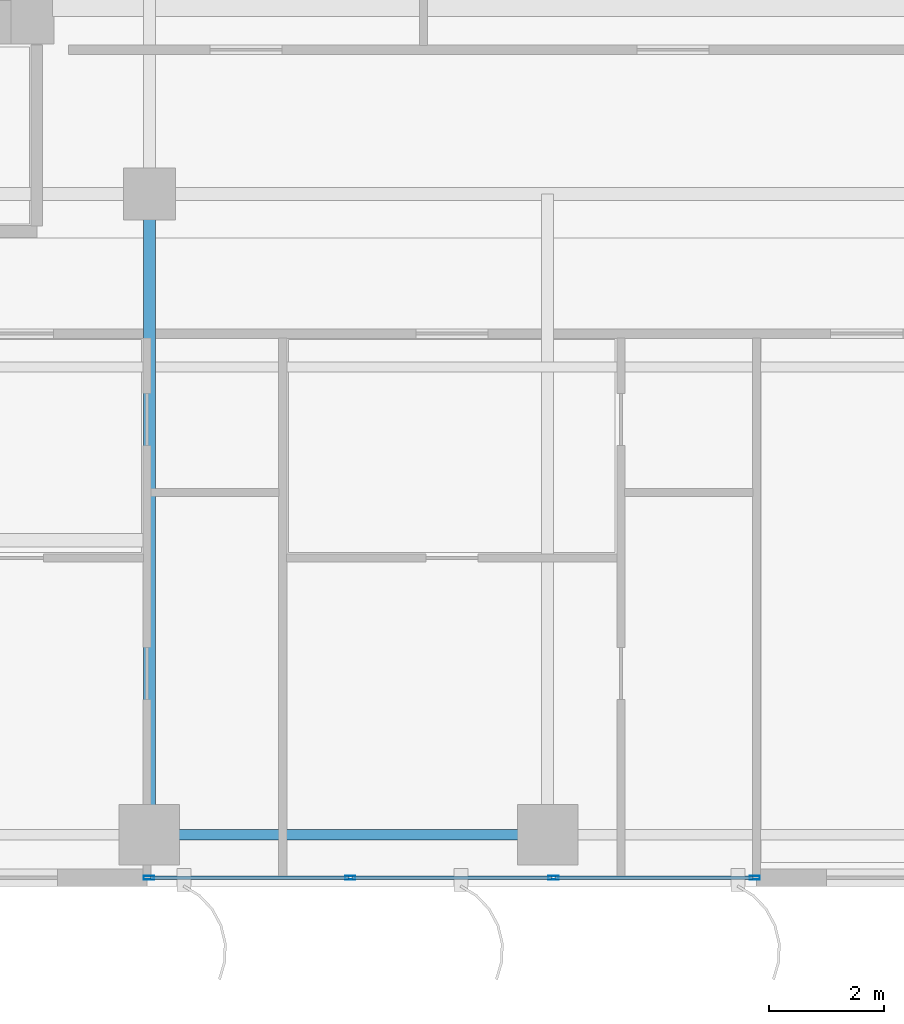
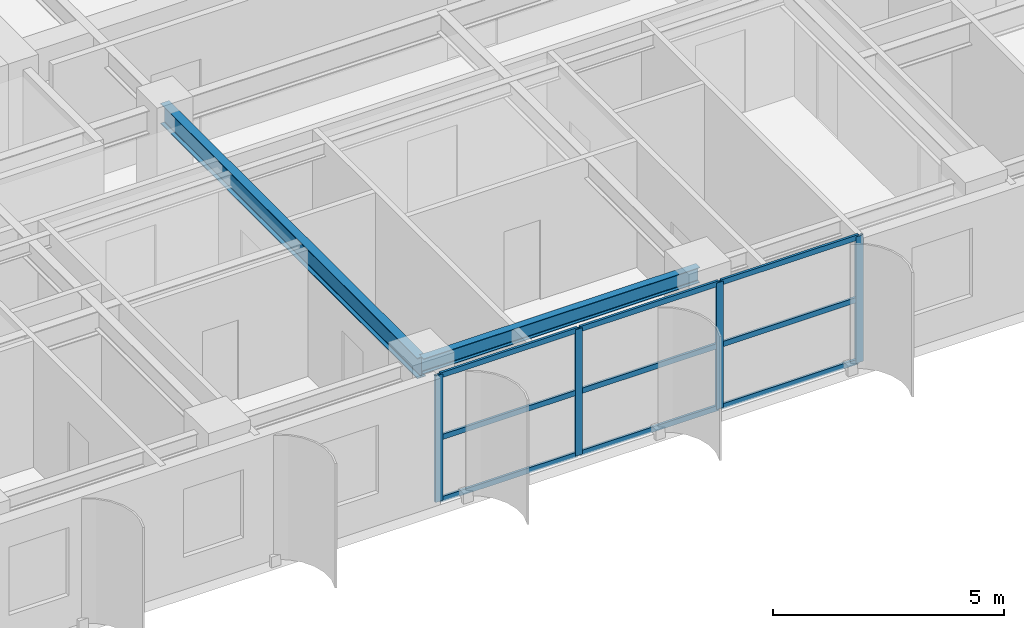
# One storey, part 2 of 22: 13 members, 2 beams, 1 element without a shape of its own.
"""IFC4 building model written with IfcOpenShell, lengths in metres."""

from ifc_helpers import new_model, si_unit, direction, frame, origin, origin_2d, place, context, subcontext, project, spatial, hollow_rectangle, i_section, extrude, source, transform, mapped, material, layer, layer_set, material_profile, profile_set, type_object, element, aggregate, save


model = new_model("IFC4")

# Units and contexts
model_context = context("Model", 3, precision=1e-05, world=origin(), true_north=direction((0.0, 1.0)))
body_context = subcontext(model_context, "Body", "Model", "MODEL_VIEW")
ifc_project = project(units=[si_unit("LENGTHUNIT", "METRE"), si_unit("AREAUNIT", "SQUARE_METRE"), si_unit("VOLUMEUNIT", "CUBIC_METRE"), si_unit("PLANEANGLEUNIT", "RADIAN"), si_unit("MASSUNIT", "GRAM", prefix="KILO")], contexts=[model_context])

# Site, building, storey
site_placement = place(None, origin())
site = spatial("IfcSite", under=ifc_project, at=site_placement, CompositionType="ELEMENT")
building_placement = place(site_placement, origin())
building = spatial("IfcBuilding", under=site, at=building_placement, Name="Khoralis Quay Care Tower", CompositionType="ELEMENT")
storey_placement = place(building_placement, frame((0.0, 0.0, 101.699951171875)))
storey = spatial("IfcBuildingStorey", under=building, at=storey_placement, Name="L26", CompositionType="ELEMENT", Elevation=101.699951171875)

# Beams
ifc_material_1 = material(Name="Steel S355", Category="steel")
ifc_material_profile_1 = material_profile(ifc_material_1, i_section(OverallWidth=0.179931640625, OverallDepth=0.39990234375, WebThickness=0.008544921875, FlangeThickness=0.013427734375, FilletRadius=0.02099609375, at=origin_2d()), Name="Steel S355")
ifc_profile_set_1 = profile_set([ifc_material_profile_1], Name="Steel S355")
beam_type_1 = type_object("IfcBeamType", Name="BM-IPE400", PredefinedType="SPANDREL", material=ifc_profile_set_1)
shared_shape_1 = source(origin(), body_context, "Body", "SweptSolid", [
    extrude(i_section(OverallWidth=0.179931640625, OverallDepth=0.39990234375, WebThickness=0.008544921875, FlangeThickness=0.013427734375, FilletRadius=0.02099609375, at=origin_2d()), origin(), (0.0, 0.0, 1.0), 6.89990234375),
])
beam_1_placement = place(storey_placement, frame((17.10009765625, 0.89990234375, 3.14013671875), z_axis=(1.0, 0.0, 0.0), x_axis=(0.0, 1.0, 0.0)))
element("IfcBeam", 1, at=beam_1_placement, inside=storey, type_object=beam_type_1, Name="BM-TSP-L26-03", PredefinedType="SPANDREL", context=body_context, shape_type="MappedRepresentation", body=[
    mapped(shared_shape_1, transform((0.0, 0.0, 0.0), scale=1.0)),
])
ifc_material_profile_2 = material_profile(ifc_material_1, i_section(OverallWidth=0.2119140625, OverallDepth=0.5439453125, WebThickness=0.01318359375, FlangeThickness=0.021240234375, FilletRadius=0.01611328125, at=origin_2d()), Name="Steel S355")
ifc_profile_set_2 = profile_set([ifc_material_profile_2], Name="Steel S355")
beam_type_2 = type_object("IfcBeamType", Name="BM-W530X123", PredefinedType="BEAM", material=ifc_profile_set_2)
shared_shape_2 = source(origin(), body_context, "Body", "SweptSolid", [
    extrude(i_section(OverallWidth=0.2119140625, OverallDepth=0.5439453125, WebThickness=0.01318359375, FlangeThickness=0.021240234375, FilletRadius=0.01611328125, at=origin_2d()), origin(), (0.0, 0.0, 1.0), 11.10009765625),
])
beam_2_placement = place(storey_placement, frame((17.10009765625, 0.89990234375, 3.068115234375), z_axis=(0.0, 1.0, 0.0), x_axis=(-1.0, 0.0, 0.0)))
element("IfcBeam", 2, at=beam_2_placement, inside=storey, type_object=beam_type_2, Name="BM-TGYS-L26-171", PredefinedType="BEAM", context=body_context, shape_type="MappedRepresentation", body=[
    mapped(shared_shape_2, transform((0.0, 0.0, 0.0), scale=1.0)),
])

# Curtain wall, members
ifc_material_2 = material(Name="Pale anodised aluminium", Category="aluminium")
ifc_layer = layer(ifc_material_2, 0.169921875)
ifc_layer_set = layer_set([ifc_layer], Name="Pale anodised aluminium")
curtain_wall_type = type_object("IfcCurtainWallType", Name="CW-SYS-Z2", PredefinedType="NOTDEFINED", material=ifc_layer_set)
curtain_wall_placement = place(storey_placement, origin())
curtain_wall = element("IfcCurtainWall", 3, at=curtain_wall_placement, inside=storey, type_object=curtain_wall_type, Name="L26 Unitised Curtain Wall CW-L26-P1-E0", PredefinedType="NOTDEFINED")
ifc_material_profile_3 = material_profile(ifc_material_2, hollow_rectangle(XDim=0.06494140625, YDim=0.179931640625, WallThickness=0.00390625, at=origin_2d()), Name="Pale anodised aluminium")
ifc_profile_set_3 = profile_set([ifc_material_profile_3], Name="Pale anodised aluminium")
member_type_1 = type_object("IfcMemberType", Name="CW-MUL-180", PredefinedType="MULLION", material=ifc_profile_set_3)
shared_shape_3 = source(origin(), body_context, "Body", "SweptSolid", [
    extrude(hollow_rectangle(XDim=0.06494140625, YDim=0.179931640625, WallThickness=0.00390625, at=origin_2d()), origin(), (0.0, 0.0, 1.0), 3.340087890625),
])
member_1_placement = place(storey_placement, frame((17.090087890625, 0.14990234375, 0.0), z_axis=(0.0, 0.0, 1.0), x_axis=(0.0, 1.0, 0.0)))
member_1 = element("IfcMember", 4, at=member_1_placement, type_object=member_type_1, Name="CW2 mullion 1", PredefinedType="MULLION", context=body_context, shape_type="MappedRepresentation", body=[
    mapped(shared_shape_3, transform((0.0, 0.0, 0.0), scale=1.0)),
])
member_2_placement = place(storey_placement, frame((20.580078125, 0.14990234375, 0.0), z_axis=(0.0, 0.0, 1.0), x_axis=(0.0, 1.0, 0.0)))
member_2 = element("IfcMember", 5, at=member_2_placement, type_object=member_type_1, Name="CW2 mullion 2", PredefinedType="MULLION", context=body_context, shape_type="MappedRepresentation", body=[
    mapped(shared_shape_3, transform((0.0, 0.0, 0.0), scale=1.0)),
])
member_3_placement = place(storey_placement, frame((24.10009765625, 0.14990234375, 0.0), z_axis=(0.0, 0.0, 1.0), x_axis=(0.0, 1.0, 0.0)))
member_3 = element("IfcMember", 6, at=member_3_placement, type_object=member_type_1, Name="CW2 mullion 3", PredefinedType="MULLION", context=body_context, shape_type="MappedRepresentation", body=[
    mapped(shared_shape_3, transform((0.0, 0.0, 0.0), scale=1.0)),
])
member_4_placement = place(storey_placement, frame((27.590087890625, 0.14990234375, 0.0), z_axis=(0.0, 0.0, 1.0), x_axis=(0.0, 1.0, 0.0)))
member_4 = element("IfcMember", 7, at=member_4_placement, type_object=member_type_1, Name="CW2 mullion 4", PredefinedType="MULLION", context=body_context, shape_type="MappedRepresentation", body=[
    mapped(shared_shape_3, transform((0.0, 0.0, 0.0), scale=1.0)),
])
ifc_material_profile_4 = material_profile(ifc_material_2, hollow_rectangle(XDim=0.06005859375, YDim=0.139892578125, WallThickness=0.00390625, at=origin_2d()), Name="Pale anodised aluminium")
ifc_profile_set_4 = profile_set([ifc_material_profile_4], Name="Pale anodised aluminium")
member_type_2 = type_object("IfcMemberType", Name="CW-TRN-140", PredefinedType="USERDEFINED", material=ifc_profile_set_4)
shared_shape_4 = source(origin(), body_context, "Body", "SweptSolid", [
    extrude(hollow_rectangle(XDim=0.06005859375, YDim=0.139892578125, WallThickness=0.00390625, at=origin_2d()), origin(), (0.0, 0.0, 1.0), 3.429931640625),
])
member_5_placement = place(storey_placement, frame((17.1201171875, 0.14990234375, 0.030029296875), z_axis=(1.0, 0.0, 0.0), x_axis=(0.0, 1.0, 0.0)))
member_5 = element("IfcMember", 8, at=member_5_placement, type_object=member_type_2, Name="CW2 transom 1.1", ObjectType="TRANSOM", PredefinedType="USERDEFINED", context=body_context, shape_type="MappedRepresentation", body=[
    mapped(shared_shape_4, transform((0.0, 0.0, 0.0), scale=1.0)),
])
member_6_placement = place(storey_placement, frame((17.1201171875, 0.14990234375, 1.670166015625), z_axis=(1.0, 0.0, 0.0), x_axis=(0.0, 1.0, 0.0)))
member_6 = element("IfcMember", 9, at=member_6_placement, type_object=member_type_2, Name="CW2 transom 1.2", ObjectType="TRANSOM", PredefinedType="USERDEFINED", context=body_context, shape_type="MappedRepresentation", body=[
    mapped(shared_shape_4, transform((0.0, 0.0, 0.0), scale=1.0)),
])
member_7_placement = place(storey_placement, frame((17.1201171875, 0.14990234375, 3.31005859375), z_axis=(1.0, 0.0, 0.0), x_axis=(0.0, 1.0, 0.0)))
member_7 = element("IfcMember", 10, at=member_7_placement, type_object=member_type_2, Name="CW2 transom 1.3", ObjectType="TRANSOM", PredefinedType="USERDEFINED", context=body_context, shape_type="MappedRepresentation", body=[
    mapped(shared_shape_4, transform((0.0, 0.0, 0.0), scale=1.0)),
])
shared_shape_5 = source(origin(), body_context, "Body", "SweptSolid", [
    extrude(hollow_rectangle(XDim=0.06005859375, YDim=0.139892578125, WallThickness=0.00390625, at=origin_2d()), origin(), (0.0, 0.0, 1.0), 3.4599609375),
])
member_8_placement = place(storey_placement, frame((20.610107421875, 0.14990234375, 0.030029296875), z_axis=(1.0, 0.0, 0.0), x_axis=(0.0, 1.0, 0.0)))
member_8 = element("IfcMember", 11, at=member_8_placement, type_object=member_type_2, Name="CW2 transom 2.1", ObjectType="TRANSOM", PredefinedType="USERDEFINED", context=body_context, shape_type="MappedRepresentation", body=[
    mapped(shared_shape_5, transform((0.0, 0.0, 0.0), scale=1.0)),
])
member_9_placement = place(storey_placement, frame((20.610107421875, 0.14990234375, 1.670166015625), z_axis=(1.0, 0.0, 0.0), x_axis=(0.0, 1.0, 0.0)))
member_9 = element("IfcMember", 12, at=member_9_placement, type_object=member_type_2, Name="CW2 transom 2.2", ObjectType="TRANSOM", PredefinedType="USERDEFINED", context=body_context, shape_type="MappedRepresentation", body=[
    mapped(shared_shape_5, transform((0.0, 0.0, 0.0), scale=1.0)),
])
member_10_placement = place(storey_placement, frame((20.610107421875, 0.14990234375, 3.31005859375), z_axis=(1.0, 0.0, 0.0), x_axis=(0.0, 1.0, 0.0)))
member_10 = element("IfcMember", 13, at=member_10_placement, type_object=member_type_2, Name="CW2 transom 2.3", ObjectType="TRANSOM", PredefinedType="USERDEFINED", context=body_context, shape_type="MappedRepresentation", body=[
    mapped(shared_shape_5, transform((0.0, 0.0, 0.0), scale=1.0)),
])
shared_shape_6 = source(origin(), body_context, "Body", "SweptSolid", [
    extrude(hollow_rectangle(XDim=0.06005859375, YDim=0.139892578125, WallThickness=0.00390625, at=origin_2d()), origin(), (0.0, 0.0, 1.0), 3.43017578125),
])
member_11_placement = place(storey_placement, frame((24.1298828125, 0.14990234375, 0.030029296875), z_axis=(1.0, 0.0, 0.0), x_axis=(0.0, 1.0, 0.0)))
member_11 = element("IfcMember", 14, at=member_11_placement, type_object=member_type_2, Name="CW2 transom 3.1", ObjectType="TRANSOM", PredefinedType="USERDEFINED", context=body_context, shape_type="MappedRepresentation", body=[
    mapped(shared_shape_6, transform((0.0, 0.0, 0.0), scale=1.0)),
])
member_12_placement = place(storey_placement, frame((24.1298828125, 0.14990234375, 1.670166015625), z_axis=(1.0, 0.0, 0.0), x_axis=(0.0, 1.0, 0.0)))
member_12 = element("IfcMember", 15, at=member_12_placement, type_object=member_type_2, Name="CW2 transom 3.2", ObjectType="TRANSOM", PredefinedType="USERDEFINED", context=body_context, shape_type="MappedRepresentation", body=[
    mapped(shared_shape_6, transform((0.0, 0.0, 0.0), scale=1.0)),
])
member_13_placement = place(storey_placement, frame((24.1298828125, 0.14990234375, 3.31005859375), z_axis=(1.0, 0.0, 0.0), x_axis=(0.0, 1.0, 0.0)))
member_13 = element("IfcMember", 16, at=member_13_placement, type_object=member_type_2, Name="CW2 transom 3.3", ObjectType="TRANSOM", PredefinedType="USERDEFINED", context=body_context, shape_type="MappedRepresentation", body=[
    mapped(shared_shape_6, transform((0.0, 0.0, 0.0), scale=1.0)),
])
aggregate(curtain_wall, [member_1, member_2, member_3, member_4, member_5, member_6, member_7, member_8, member_9, member_10, member_11, member_12, member_13])

save(model, "model.ifc")
